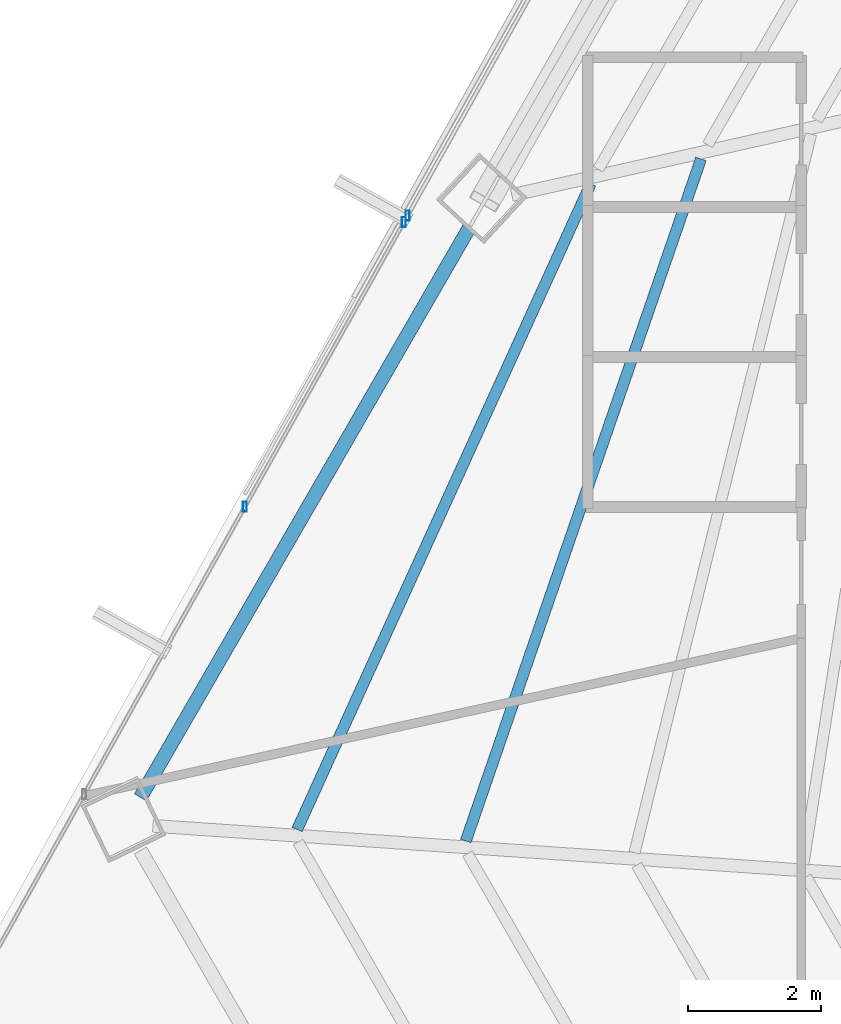
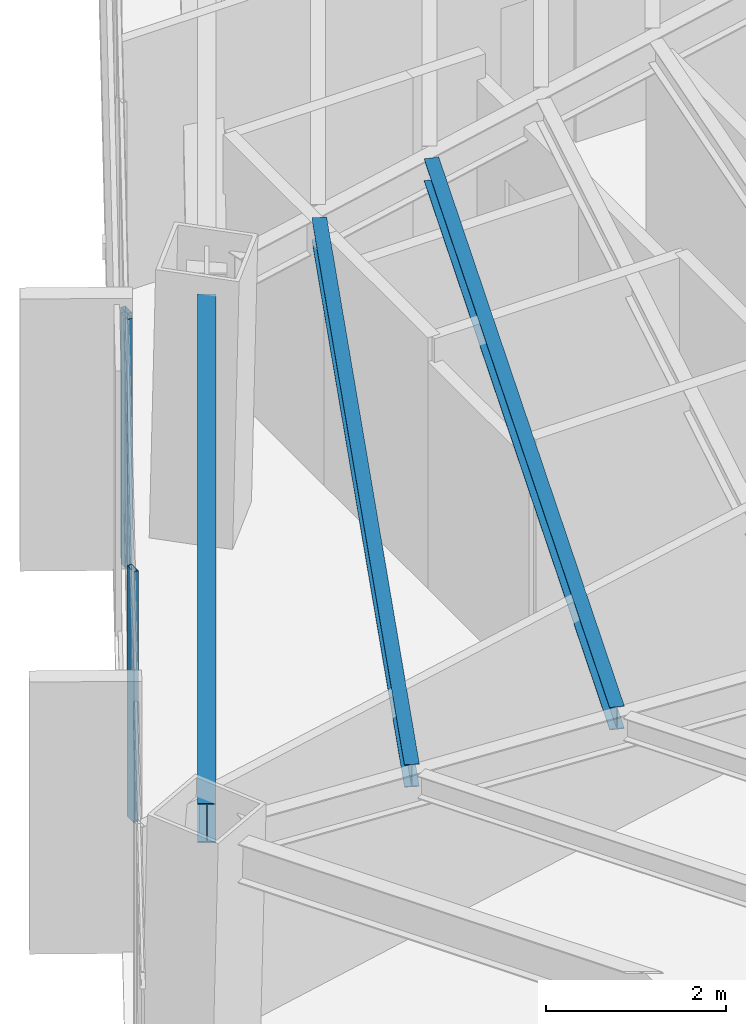
# One storey, part 12 of 39: 3 beams, 3 members, 2 elements without a shape of their own.
"""IFC4 building model written with IfcOpenShell, lengths in metres."""

from ifc_helpers import new_model, si_unit, direction, frame, origin, origin_2d, place, context, subcontext, project, spatial, hollow_rectangle, i_section, extrude, source, transform, mapped, material, material_profile, profile_set, type_object, type_shapes, element, aggregate, save


model = new_model("IFC4")

# Units and contexts
model_context = context("Model", 3, precision=1e-05, world=origin(), true_north=direction((0.0, 1.0)))
body_context = subcontext(model_context, "Body", "Model", "MODEL_VIEW")
ifc_project = project(units=[si_unit("LENGTHUNIT", "METRE"), si_unit("AREAUNIT", "SQUARE_METRE"), si_unit("VOLUMEUNIT", "CUBIC_METRE"), si_unit("PLANEANGLEUNIT", "RADIAN"), si_unit("MASSUNIT", "GRAM", prefix="KILO")], contexts=[model_context])

# Site, building, storey
site_placement = place(None, origin())
site = spatial("IfcSite", under=ifc_project, at=site_placement, CompositionType="ELEMENT")
building_placement = place(site_placement, origin())
building = spatial("IfcBuilding", under=site, at=building_placement, Name="Caelisora Broadcast Tower", CompositionType="ELEMENT")
storey_placement = place(building_placement, frame((0.0, 0.0, 139.10009765625)))
storey = spatial("IfcBuildingStorey", under=building, at=storey_placement, Name="L36", CompositionType="ELEMENT", Elevation=139.10009765625)

# Beams
ifc_material_1 = material(Name="Steel Grade 350 (AS/NZS 3679.1)", Category="steel")
ifc_material_profile_1 = material_profile(ifc_material_1, i_section(OverallWidth=0.208984375, OverallDepth=0.532958984375, WebThickness=0.01025390625, FlangeThickness=0.015625, at=origin_2d()), Name="Steel Grade 350 (AS/NZS 3679.1)")
ifc_profile_set_1 = profile_set([ifc_material_profile_1], Name="Steel Grade 350 (AS/NZS 3679.1)")
beam_type_1 = type_object("IfcBeamType", Name="PG05", PredefinedType="BEAM", material=ifc_profile_set_1)
shared_shape_1 = source(origin(), body_context, "Body", "SweptSolid", [
    extrude(i_section(OverallWidth=0.208984375, OverallDepth=0.532958984375, WebThickness=0.01025390625, FlangeThickness=0.015625, at=origin_2d()), origin(), (0.0, 0.0, 1.0), 9.86865234375),
])
type_shapes(beam_type_1, [shared_shape_1])
beam_1_placement = place(storey_placement, frame((20.42041015625, 27.389404296875, 3.13330078125), z_axis=(-0.500005129863, -0.866022442036, 0.0), x_axis=(0.866022442036, -0.500005129863, 0.0)))
element("IfcBeam", 1, at=beam_1_placement, inside=storey, type_object=beam_type_1, Name="L36 beam PG05", PredefinedType="BEAM", context=body_context, shape_type="MappedRepresentation", body=[
    mapped(shared_shape_1, transform((0.0, 0.0, 0.0), scale=1.0)),
])
ifc_material_profile_2 = material_profile(ifc_material_1, i_section(OverallWidth=0.166015625, OverallDepth=0.30712890625, WebThickness=0.006591796875, FlangeThickness=0.01171875, at=origin_2d()), Name="Steel Grade 350 (AS/NZS 3679.1)")
ifc_profile_set_2 = profile_set([ifc_material_profile_2], Name="Steel Grade 350 (AS/NZS 3679.1)")
beam_type_2 = type_object("IfcBeamType", Name="SB03", PredefinedType="JOIST", material=ifc_profile_set_2)
shared_shape_2 = source(origin(), body_context, "Body", "SweptSolid", [
    extrude(i_section(OverallWidth=0.166015625, OverallDepth=0.30712890625, WebThickness=0.006591796875, FlangeThickness=0.01171875, at=origin_2d()), origin(), (0.0, 0.0, 1.0), 10.826416015625),
])
beam_2_placement = place(storey_placement, frame((23.89794921875, 28.422119140625, 3.246337890625), z_axis=(-0.325986513556, -0.945374419466, 0.0), x_axis=(0.945374419466, -0.325986513556, 0.0)))
element("IfcBeam", 2, at=beam_2_placement, inside=storey, type_object=beam_type_2, Name="L36 beam SB03", PredefinedType="JOIST", context=body_context, shape_type="MappedRepresentation", body=[
    mapped(shared_shape_2, transform((0.0, 0.0, 0.0), scale=1.0)),
])
shared_shape_3 = source(origin(), body_context, "Body", "SweptSolid", [
    extrude(i_section(OverallWidth=0.166015625, OverallDepth=0.30712890625, WebThickness=0.006591796875, FlangeThickness=0.01171875, at=origin_2d()), origin(), (0.0, 0.0, 1.0), 10.644287109375),
])
type_shapes(beam_type_2, [shared_shape_2, shared_shape_3])
beam_3_placement = place(storey_placement, frame((22.24365234375, 28.05029296875, 3.246337890625), z_axis=(-0.413927360793, -0.910309914253, 0.0), x_axis=(0.910309914253, -0.413927360793, 0.0)))
element("IfcBeam", 3, at=beam_3_placement, inside=storey, type_object=beam_type_2, Name="L36 beam SB03", PredefinedType="JOIST", context=body_context, shape_type="MappedRepresentation", body=[
    mapped(shared_shape_3, transform((0.0, 0.0, 0.0), scale=1.0)),
])

# Curtain wall, members
ifc_material_2 = material(Name="Unitised Aluminium and Low-E Glass Curtain Wall", Category="glass")
curtain_wall_type_1 = type_object("IfcCurtainWallType", Name="CW-Z3", PredefinedType="NOTDEFINED", material=ifc_material_2)
curtain_wall_1_placement = place(storey_placement, origin())
curtain_wall_1 = element("IfcCurtainWall", 4, at=curtain_wall_1_placement, inside=storey, type_object=curtain_wall_type_1, Name="L36 curtain wall CW-Z3", PredefinedType="NOTDEFINED")
ifc_material_3 = material(Name="Aluminium 6063-T6 Anodised Terracotta Bronze", Category="aluminium")
ifc_material_profile_3 = material_profile(ifc_material_3, hollow_rectangle(XDim=0.06005859375, YDim=0.14990234375, WallThickness=0.00341796875, at=origin_2d()), Name="Aluminium 6063-T6 Anodised Terracotta Bronze")
ifc_profile_set_3 = profile_set([ifc_material_profile_3], Name="Aluminium 6063-T6 Anodised Terracotta Bronze")
member_type = type_object("IfcMemberType", Name="CWM-03", PredefinedType="MULLION", material=ifc_profile_set_3)
shared_shape_4 = source(origin(), body_context, "Body", "SweptSolid", [
    extrude(hollow_rectangle(XDim=0.06005859375, YDim=0.14990234375, WallThickness=0.00341796875, at=origin_2d()), origin(), (0.0, 0.0, 1.0), 3.39990234375),
])
type_shapes(member_type, [shared_shape_4])
member_1_placement = place(storey_placement, frame((17.053955078125, 23.203857421875, 0.0), z_axis=(0.0, 0.0, 1.0), x_axis=(1.0, 0.0, 0.0)))
member_1 = element("IfcMember", 5, at=member_1_placement, type_object=member_type, Name="L36-CW-B09 mullion #2", PredefinedType="MULLION", context=body_context, shape_type="MappedRepresentation", body=[
    mapped(shared_shape_4, transform((0.0, 0.0, 0.0), scale=1.0)),
])
member_2_placement = place(storey_placement, frame((19.44091796875, 27.4755859375, 0.0), z_axis=(0.0, 0.0, 1.0), x_axis=(1.0, 0.0, 0.0)))
member_2 = element("IfcMember", 6, at=member_2_placement, type_object=member_type, Name="L36-CW-B09 mullion #3", PredefinedType="MULLION", context=body_context, shape_type="MappedRepresentation", body=[
    mapped(shared_shape_4, transform((0.0, 0.0, 0.0), scale=1.0)),
])
aggregate(curtain_wall_1, [member_1, member_2])

# Curtain wall, member
ifc_material_4 = material(Name="Unitised Aluminium Insulated Shadow-Box Spandrel Curtain Wall", Category="aluminium")
curtain_wall_type_2 = type_object("IfcCurtainWallType", Name="CW-SP2", PredefinedType="NOTDEFINED", material=ifc_material_4)
curtain_wall_2_placement = place(storey_placement, origin())
curtain_wall_2 = element("IfcCurtainWall", 7, at=curtain_wall_2_placement, inside=storey, type_object=curtain_wall_type_2, Name="L36 curtain wall CW-SP2", PredefinedType="NOTDEFINED")
member_3_placement = place(storey_placement, frame((19.49462890625, 27.571533203125, 0.0), z_axis=(0.0, 0.0, 1.0), x_axis=(1.0, 0.0, 0.0)))
member_3 = element("IfcMember", 8, at=member_3_placement, type_object=member_type, Name="L36-CW-B10 mullion #0", PredefinedType="MULLION", context=body_context, shape_type="MappedRepresentation", body=[
    mapped(shared_shape_4, transform((0.0, 0.0, 0.0), scale=1.0)),
])
aggregate(curtain_wall_2, [member_3])

save(model, "model.ifc")
